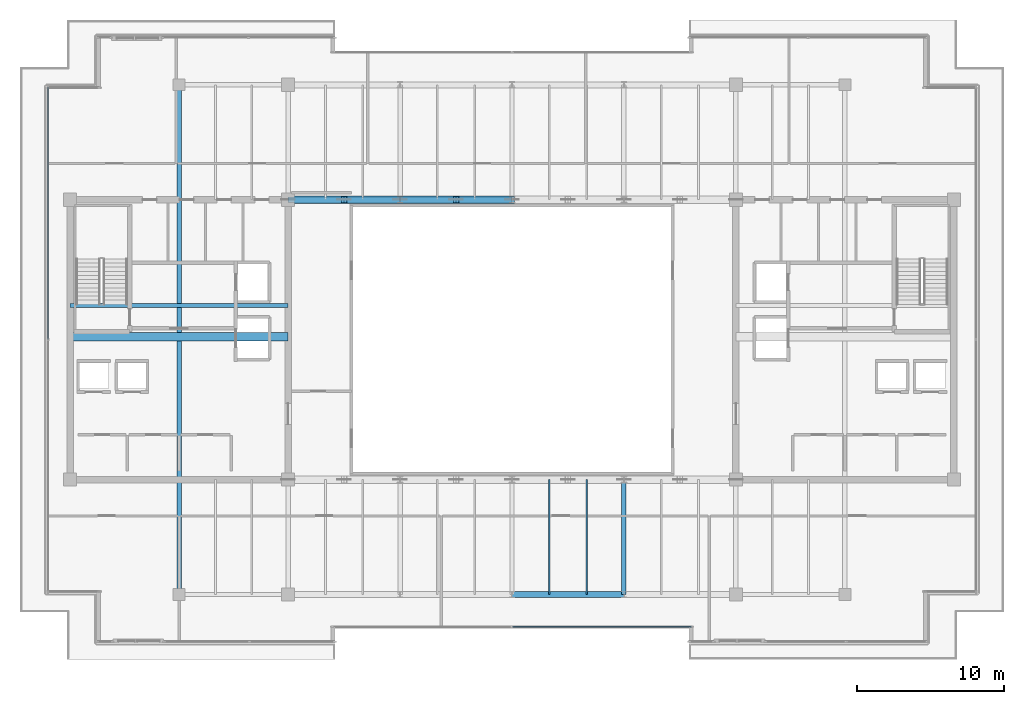
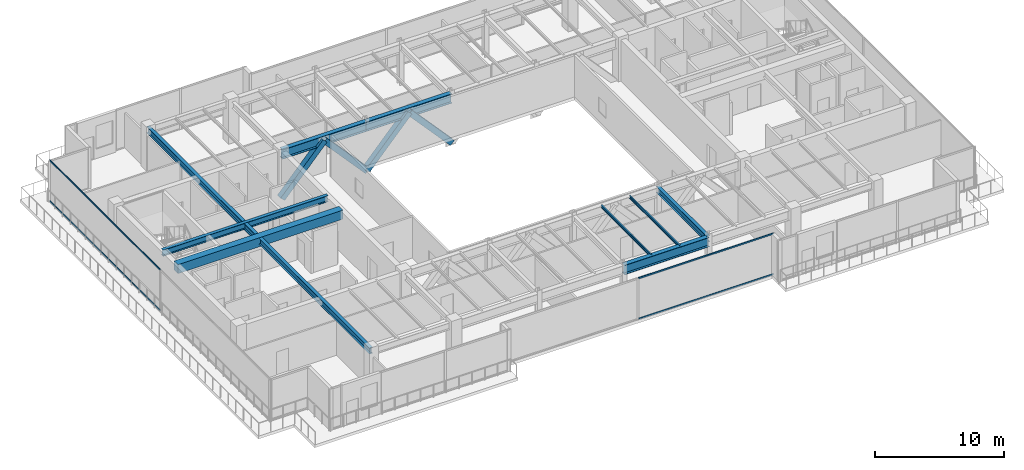
# One storey, part 10 of 34: 9 beams, 8 members, 2 elements without a shape of their own.
"""IFC4 building model written with IfcOpenShell, lengths in metres."""

import ifcopenshell
import ifcopenshell.guid

model = None  # the IFC model being written
_history = None  # IfcOwnerHistory: only IFC2X3 demands one
_inside = {}  # id of a spatial element -> (the spatial element, [elements in it])
_under = {}  # id of a project, library or spatial element -> (it, [spatial elements below it])
_declared = {}  # id of a project -> (the project, [libraries it declares])
_typed = {}  # id of a type object -> (the type object, [elements of that type])
_made_of = {}  # id of a material, layer set ... -> (it, [elements and type objects made of it])


def new_model(schema):
    """Start an empty IFC model of exactly this schema.

    Asked for "IFC4X3", IfcOpenShell would pick the latest addendum, in which some entities
    have other attributes; the version numbers below select the first issue.
    IFC2X3 requires an IfcOwnerHistory on every rooted entity: one is made here for all.
    """
    global model, _history
    if schema == "IFC4X3":
        model = ifcopenshell.file(schema_version=(4, 3, 0, 0))
    else:
        model = ifcopenshell.file(schema=schema)
    _inside.clear()
    _under.clear()
    _declared.clear()
    _typed.clear()
    _made_of.clear()
    _history = None
    if model.schema == "IFC2X3":
        org = make("IfcOrganization", Name="unknown")
        user = make(
            "IfcPersonAndOrganization",
            ThePerson=make("IfcPerson", FamilyName="unknown"),
            TheOrganization=org,
        )
        app = make(
            "IfcApplication",
            ApplicationDeveloper=org,
            Version="unknown",
            ApplicationFullName="unknown",
            ApplicationIdentifier="unknown",
        )
        _history = make(
            "IfcOwnerHistory",
            OwningUser=user,
            OwningApplication=app,
            ChangeAction="ADDED",
            CreationDate=0,
        )
    return model


def make(cls, **values):
    """One entity of the class cls with the attributes given. An attribute that is None is left unset."""
    return model.create_entity(
        cls, **{name: value for name, value in values.items() if value is not None}
    )


def rooted(cls, **values):
    """An entity with a GlobalId (a new one), such as an element, a storey or a relation."""
    return make(cls, GlobalId=ifcopenshell.guid.new(), OwnerHistory=_history, **values)


def si_unit(unit_type, name, prefix=None):
    """IfcSIUnit, for example si_unit("LENGTHUNIT", "METRE", prefix="MILLI")."""
    return make("IfcSIUnit", UnitType=unit_type, Prefix=prefix, Name=name)


def assignment(units):
    """IfcUnitAssignment: the units of a project."""
    return None if units is None else make("IfcUnitAssignment", Units=units)


def point(xyz):
    """IfcCartesianPoint."""
    return None if xyz is None else make("IfcCartesianPoint", Coordinates=xyz)


def direction(xyz):
    """IfcDirection."""
    return None if xyz is None else make("IfcDirection", DirectionRatios=xyz)


def frame(location, z_axis=None, x_axis=None):
    """IfcAxis2Placement3D, a coordinate frame: its origin and axes. An axis left out is left unset."""
    return make(
        "IfcAxis2Placement3D",
        Location=point(location),
        Axis=direction(z_axis),
        RefDirection=direction(x_axis),
    )


def frame_2d(location, x_axis=None):
    """IfcAxis2Placement2D, a coordinate frame in the plane: its origin and x axis."""
    return make(
        "IfcAxis2Placement2D", Location=point(location), RefDirection=direction(x_axis)
    )


def origin():
    """The frame at (0, 0, 0) with its axes left unset."""
    return frame((0.0, 0.0, 0.0))


def origin_2d():
    """The frame at (0, 0) in the plane with its x axis left unset."""
    return frame_2d((0.0, 0.0))


def place(relative_to, where):
    """IfcLocalPlacement: puts the frame where relative to a parent placement (None: the world)."""
    return make(
        "IfcLocalPlacement", PlacementRelTo=relative_to, RelativePlacement=where
    )


def context(
    kind, dimensions, precision=None, world=None, true_north=None, identifier=None
):
    """IfcGeometricRepresentationContext, for example the 3D "Model" context."""
    return make(
        "IfcGeometricRepresentationContext",
        ContextIdentifier=identifier,
        ContextType=kind,
        CoordinateSpaceDimension=dimensions,
        Precision=precision,
        WorldCoordinateSystem=world,
        TrueNorth=true_north,
    )


def subcontext(parent, identifier, kind, view, scale=None):
    """IfcGeometricRepresentationSubContext, for example "Body" below "Model"."""
    return make(
        "IfcGeometricRepresentationSubContext",
        ContextIdentifier=identifier,
        ContextType=kind,
        ParentContext=parent,
        TargetScale=scale,
        TargetView=view,
    )


def project(units=None, contexts=None):
    """IfcProject with its units and contexts."""
    return rooted(
        "IfcProject",
        Name="project",
        RepresentationContexts=contexts,
        UnitsInContext=assignment(units),
    )


def spatial(cls, under=None, at=None, **own):
    """A site, building, storey or space (cls), placed at a placement, below another one or the project."""
    s = rooted(cls, ObjectPlacement=at, **own)
    if under is not None:
        _under.setdefault(under.id(), (under, []))[1].append(s)
    return s


def profile(cls, at=None, kind="AREA", **sizes):
    """A parametric profile (cls). Its sizes go by their IFC names, for example OverallWidth=200.0."""
    return make(cls, ProfileType=kind, Position=at, **sizes)


def rectangle(**sizes):
    """IfcRectangleProfileDef."""
    return profile("IfcRectangleProfileDef", **sizes)


def hollow_rectangle(**sizes):
    """IfcRectangleHollowProfileDef."""
    return profile("IfcRectangleHollowProfileDef", **sizes)


def i_section(**sizes):
    """IfcIShapeProfileDef."""
    return profile("IfcIShapeProfileDef", **sizes)


def extrude(swept, where, along, depth):
    """IfcExtrudedAreaSolid: the profile swept, set in the frame where, extruded along a direction by depth."""
    return make(
        "IfcExtrudedAreaSolid",
        SweptArea=swept,
        Position=where,
        ExtrudedDirection=direction(along),
        Depth=depth,
    )


def shape(context_of_items, identifier, shape_type, items):
    """IfcShapeRepresentation: the items that make up one representation, for example the "Body"."""
    return make(
        "IfcShapeRepresentation",
        ContextOfItems=context_of_items,
        RepresentationIdentifier=identifier,
        RepresentationType=shape_type,
        Items=items,
    )


def source(mapping_origin, context_of_items, identifier, shape_type, items):
    """IfcRepresentationMap: a shape defined once, which mapped items show again and again."""
    return make(
        "IfcRepresentationMap",
        MappingOrigin=mapping_origin,
        MappedRepresentation=shape(context_of_items, identifier, shape_type, items),
    )


def transform(
    local_origin,
    x_axis=None,
    y_axis=None,
    z_axis=None,
    scale=None,
    scale2=None,
    scale3=None,
    uniform=True,
):
    """IfcCartesianTransformationOperator3D, or its non-uniform kind. x_axis, y_axis, z_axis: its Axis1, 2, 3."""
    if uniform:
        return make(
            "IfcCartesianTransformationOperator3D",
            Axis1=direction(x_axis),
            Axis2=direction(y_axis),
            LocalOrigin=point(local_origin),
            Scale=scale,
            Axis3=direction(z_axis),
        )
    return make(
        "IfcCartesianTransformationOperator3DnonUniform",
        Axis1=direction(x_axis),
        Axis2=direction(y_axis),
        LocalOrigin=point(local_origin),
        Scale=scale,
        Axis3=direction(z_axis),
        Scale2=scale2,
        Scale3=scale3,
    )


def mapped(mapping_source, mapping_target):
    """IfcMappedItem: shows the shape of a source again, moved by a transform."""
    return make(
        "IfcMappedItem", MappingSource=mapping_source, MappingTarget=mapping_target
    )


def material(Name=None, Category=None):
    """IfcMaterial."""
    return make("IfcMaterial", Name=Name, Category=Category)


def layer(
    of_material, thickness, ventilated=None, Name=None, Category=None, Priority=None
):
    """IfcMaterialLayer: one layer of a wall or slab, of a material (None: an air gap)."""
    return make(
        "IfcMaterialLayer",
        Material=of_material,
        LayerThickness=thickness,
        IsVentilated=ventilated,
        Name=Name,
        Category=Category,
        Priority=Priority,
    )


def layer_set(layers, Name=None):
    """IfcMaterialLayerSet."""
    return make("IfcMaterialLayerSet", MaterialLayers=layers, LayerSetName=Name)


def material_profile(
    of_material, cross_section, Name=None, Category=None, Priority=None
):
    """IfcMaterialProfile: a cross section and its material."""
    return make(
        "IfcMaterialProfile",
        Name=Name,
        Material=of_material,
        Profile=cross_section,
        Priority=Priority,
        Category=Category,
    )


def profile_set(profiles, Name=None, composite=None):
    """IfcMaterialProfileSet."""
    return make(
        "IfcMaterialProfileSet",
        Name=Name,
        MaterialProfiles=profiles,
        CompositeProfile=composite,
    )


def made_of(thing, what):
    """Note that an element or type object is made of a material, layer set ...; save() writes the relation."""
    if what is not None:
        _made_of.setdefault(what.id(), (what, []))[1].append(thing)
    return thing


def type_object(cls, material=None, **own):
    """A type object (cls), such as IfcWallType, which elements share."""
    return made_of(rooted(cls, **own), material)


def type_shapes(of_type, sources):
    """Give a type object the sources (RepresentationMaps) that its elements show as mapped items."""
    of_type.RepresentationMaps = sources


def element(
    cls,
    number,
    at=None,
    inside=None,
    cuts=None,
    type_object=None,
    material=None,
    context=None,
    identifier="Body",
    shape_type=None,
    held_by="IfcProductDefinitionShape",
    body=None,
    shapes=None,
    **own,
):
    """One element of the class cls, such as IfcWall. Its Tag is "e" and its number.

    at: its placement. inside: the storey or other place that contains it. cuts: it is an
    opening in that element (IfcRelVoidsElement). A single representation is given by context,
    identifier, shape_type and body (its items); several are given by shapes. held_by: the class
    of the entity that holds the representations. save() writes the other relations.
    """
    e = rooted(cls, Tag="e%d" % number, ObjectPlacement=at, **own)
    if body is not None:
        shapes = [shape(context, identifier, shape_type, body)]
    if shapes is not None:
        e.Representation = make(held_by, Representations=shapes)
    if inside is not None:
        _inside.setdefault(inside.id(), (inside, []))[1].append(e)
    if cuts is not None:
        rooted(
            "IfcRelVoidsElement", RelatingBuildingElement=cuts, RelatedOpeningElement=e
        )
    if type_object is not None:
        _typed.setdefault(type_object.id(), (type_object, []))[1].append(e)
    return made_of(e, material)


def aggregate(whole, parts):
    """IfcRelAggregates: a whole, such as a stair, and the parts it consists of."""
    return rooted("IfcRelAggregates", RelatingObject=whole, RelatedObjects=parts)


def save(model, path):
    """Write the relations noted so far, then the file.

    IfcRelAggregates (storeys below a building ...), IfcRelContainedInSpatialStructure (elements
    in a storey), IfcRelDefinesByType, IfcRelAssociatesMaterial and IfcRelDeclares: one each for
    every whole, place, type object, material and project.
    """
    for whole, parts in _under.values():
        aggregate(whole, parts)
    for where, things in _inside.values():
        rooted(
            "IfcRelContainedInSpatialStructure",
            RelatedElements=things,
            RelatingStructure=where,
        )
    for kind, things in _typed.values():
        rooted("IfcRelDefinesByType", RelatedObjects=things, RelatingType=kind)
    for what, things in _made_of.values():
        rooted("IfcRelAssociatesMaterial", RelatedObjects=things, RelatingMaterial=what)
    for by, libraries in _declared.values():
        rooted("IfcRelDeclares", RelatingContext=by, RelatedDefinitions=libraries)
    model.write(path)


model = new_model("IFC4")

# Units and contexts
model_context = context("Model", 3, precision=1e-05, world=origin(), true_north=direction((0.0, 1.0)))
body_context = subcontext(model_context, "Body", "Model", "MODEL_VIEW")
ifc_project = project(units=[si_unit("LENGTHUNIT", "METRE"), si_unit("AREAUNIT", "SQUARE_METRE"), si_unit("VOLUMEUNIT", "CUBIC_METRE"), si_unit("PLANEANGLEUNIT", "RADIAN"), si_unit("MASSUNIT", "GRAM", prefix="KILO")], contexts=[model_context])

# Site, building, storey
site_placement = place(None, origin())
site = spatial("IfcSite", under=ifc_project, at=site_placement, CompositionType="ELEMENT")
building_placement = place(site_placement, origin())
building = spatial("IfcBuilding", under=site, at=building_placement, Name="Haelvirn Gate Laboratories", CompositionType="ELEMENT")
storey_placement = place(building_placement, frame((0.0, 0.0, 297.60009765625)))
storey = spatial("IfcBuildingStorey", under=building, at=storey_placement, Name="L71", CompositionType="ELEMENT", Elevation=297.60009765625)

# Beams
ifc_material_1 = material(Name="Steel SM355", Category="steel")
ifc_material_profile_1 = material_profile(ifc_material_1, i_section(OverallWidth=0.300048828125, OverallDepth=0.587890625, WebThickness=0.011962890625, FlangeThickness=0.02001953125, at=origin_2d()), Name="H-588x300x12x20")
ifc_profile_set_1 = profile_set([ifc_material_profile_1], Name="Steel SM355")
beam_type_1 = type_object("IfcBeamType", Name="BM-G-588", PredefinedType="BEAM", material=ifc_profile_set_1)
shared_shape_1 = source(origin(), body_context, "Body", "SweptSolid", [
    extrude(i_section(OverallWidth=0.300048828125, OverallDepth=0.587890625, WebThickness=0.011962890625, FlangeThickness=0.02001953125, at=origin_2d()), origin(), (0.0, 0.0, 1.0), 14.800048828125),
])
beam_1_placement = place(storey_placement, frame((7.39990234375, 26.6201171875, 3.60595703125), z_axis=(1.0, 0.0, 0.0), x_axis=(0.0, 1.0, 0.0)))
element("IfcBeam", 1, at=beam_1_placement, inside=storey, type_object=beam_type_1, Name="L71 Stair ST1 Landing Header", PredefinedType="BEAM", context=body_context, shape_type="MappedRepresentation", body=[
    mapped(shared_shape_1, transform((0.0, 0.0, 0.0), scale=1.0)),
])
ifc_material_2 = material(Name="Steel SM420", Category="steel")
ifc_material_profile_2 = material_profile(ifc_material_2, i_section(OverallWidth=0.39990234375, OverallDepth=0.89990234375, WebThickness=0.01904296875, FlangeThickness=0.031982421875, at=origin_2d()), Name="H-900x400x19x32")
ifc_profile_set_2 = profile_set([ifc_material_profile_2], Name="Steel SM420")
beam_type_2 = type_object("IfcBeamType", Name="BM-TG-900", PredefinedType="BEAM", material=ifc_profile_set_2)
shared_shape_2 = source(origin(), body_context, "Body", "SweptSolid", [
    extrude(i_section(OverallWidth=0.39990234375, OverallDepth=0.89990234375, WebThickness=0.01904296875, FlangeThickness=0.031982421875, at=origin_2d()), origin(), (0.0, 0.0, 1.0), 7.60009765625),
])
for number, where, z_axis, x_axis, name in (
    (2, (37.39990234375, 7.0, 3.449951171875), (1.0, 0.0, 0.0), (0.0, 1.0, 0.0), "L71 Primary Girder Y7.0 (37.4-45.0)"),
    (3, (22.199951171875, 33.800048828125, 3.449951171875), (1.0, 0.0, 0.0), (0.0, 1.0, 0.0), "L71 Primary Girder Y33.8 (22.2-29.8)"),
):
    element("IfcBeam", number, at=place(storey_placement, frame(where, z_axis=z_axis, x_axis=x_axis)), inside=storey, type_object=beam_type_2, Name=name, PredefinedType="BEAM", context=body_context, shape_type="MappedRepresentation", body=[
        mapped(shared_shape_2, transform((0.0, 0.0, 0.0), scale=1.0)),
    ])
shared_shape_3 = source(origin(), body_context, "Body", "SweptSolid", [
    extrude(i_section(OverallWidth=0.39990234375, OverallDepth=0.89990234375, WebThickness=0.01904296875, FlangeThickness=0.031982421875, at=origin_2d()), origin(), (0.0, 0.0, 1.0), 7.599853515625),
])
type_shapes(beam_type_2, [shared_shape_2, shared_shape_3])
beam_2_placement = place(storey_placement, frame((29.800048828125, 33.800048828125, 3.449951171875), z_axis=(1.0, 0.0, 0.0), x_axis=(0.0, 1.0, 0.0)))
element("IfcBeam", 4, at=beam_2_placement, inside=storey, type_object=beam_type_2, Name="L71 Primary Girder Y33.8 (29.8-37.4)", PredefinedType="BEAM", context=body_context, shape_type="MappedRepresentation", body=[
    mapped(shared_shape_3, transform((0.0, 0.0, 0.0), scale=1.0)),
])
shared_shape_4 = source(origin(), body_context, "Body", "SweptSolid", [
    extrude(i_section(OverallWidth=0.300048828125, OverallDepth=0.587890625, WebThickness=0.011962890625, FlangeThickness=0.02001953125, at=origin_2d()), origin(), (0.0, 0.0, 1.0), 34.60009765625),
])
beam_3_placement = place(storey_placement, frame((14.800048828125, 7.0, 3.60595703125), z_axis=(0.0, 1.0, 0.0), x_axis=(-1.0, 0.0, 0.0)))
element("IfcBeam", 5, at=beam_3_placement, inside=storey, type_object=beam_type_1, Name="L71 Frame Girder X14.8 (7.0-41.6)", PredefinedType="BEAM", context=body_context, shape_type="MappedRepresentation", body=[
    mapped(shared_shape_4, transform((0.0, 0.0, 0.0), scale=1.0)),
])
shared_shape_5 = source(origin(), body_context, "Body", "SweptSolid", [
    extrude(i_section(OverallWidth=0.300048828125, OverallDepth=0.587890625, WebThickness=0.011962890625, FlangeThickness=0.02001953125, at=origin_2d()), origin(), (0.0, 0.0, 1.0), 7.800048828125),
])
type_shapes(beam_type_1, [shared_shape_1, shared_shape_4, shared_shape_5])
beam_4_placement = place(storey_placement, frame((45.0, 7.0, 3.60595703125), z_axis=(0.0, 1.0, 0.0), x_axis=(-1.0, 0.0, 0.0)))
element("IfcBeam", 6, at=beam_4_placement, inside=storey, type_object=beam_type_1, Name="L71 Frame Girder X45.0 (7.0-14.8)", PredefinedType="BEAM", context=body_context, shape_type="MappedRepresentation", body=[
    mapped(shared_shape_5, transform((0.0, 0.0, 0.0), scale=1.0)),
])
ifc_material_3 = material(Name="Concrete C50/60", Category="concrete")
ifc_material_profile_3 = material_profile(ifc_material_3, rectangle(XDim=0.60009765625, YDim=0.85009765625, at=origin_2d()), Name="RCB-600x850")
ifc_profile_set_3 = profile_set([ifc_material_profile_3], Name="Concrete C50/60")
beam_type_3 = type_object("IfcBeamType", Name="BM-RCB-850", PredefinedType="LINTEL", material=ifc_profile_set_3)
shared_shape_6 = source(origin(), body_context, "Body", "SweptSolid", [
    extrude(rectangle(XDim=0.60009765625, YDim=0.85009765625, at=origin_2d()), origin(), (0.0, 0.0, 1.0), 14.800048828125),
])
type_shapes(beam_type_3, [shared_shape_6])
beam_5_placement = place(storey_placement, frame((7.39990234375, 24.5, 3.474853515625), z_axis=(1.0, 0.0, 0.0), x_axis=(0.0, 1.0, 0.0)))
element("IfcBeam", 7, at=beam_5_placement, inside=storey, type_object=beam_type_3, Name="L71 West Core Coupling Beam", PredefinedType="LINTEL", context=body_context, shape_type="MappedRepresentation", body=[
    mapped(shared_shape_6, transform((0.0, 0.0, 0.0), scale=1.0)),
])
ifc_material_profile_4 = material_profile(ifc_material_1, i_section(OverallWidth=0.125, OverallDepth=0.25, WebThickness=0.006103515625, FlangeThickness=0.009033203125, at=origin_2d()), Name="H-250x125x6x9")
ifc_profile_set_4 = profile_set([ifc_material_profile_4], Name="Steel SM355")
beam_type_4 = type_object("IfcBeamType", Name="BM-J-250", PredefinedType="JOIST", material=ifc_profile_set_4)
shared_shape_7 = source(origin(), body_context, "Body", "SweptSolid", [
    extrude(i_section(OverallWidth=0.125, OverallDepth=0.25, WebThickness=0.006103515625, FlangeThickness=0.009033203125, at=origin_2d()), origin(), (0.0, 0.0, 1.0), 7.800048828125),
])
type_shapes(beam_type_4, [shared_shape_7])
for number, where, z_axis, x_axis, name in (
    (8, (39.929931640625, 7.0, 3.77490234375), (0.0, 1.0, 0.0), (-1.0, 0.0, 0.0), "L71 Composite Lab Joist South X39.93"),
    (9, (42.469970703125, 7.0, 3.77490234375), (0.0, 1.0, 0.0), (-1.0, 0.0, 0.0), "L71 Composite Lab Joist South X42.47"),
):
    element("IfcBeam", number, at=place(storey_placement, frame(where, z_axis=z_axis, x_axis=x_axis)), inside=storey, type_object=beam_type_4, Name=name, PredefinedType="JOIST", context=body_context, shape_type="MappedRepresentation", body=[
        mapped(shared_shape_7, transform((0.0, 0.0, 0.0), scale=1.0)),
    ])

# Members
ifc_material_profile_5 = material_profile(ifc_material_2, hollow_rectangle(XDim=0.5, YDim=0.5, WallThickness=0.02197265625, at=origin_2d()), Name="BOX-500x500x22")
ifc_profile_set_5 = profile_set([ifc_material_profile_5], Name="Steel SM420")
member_type_1 = type_object("IfcMemberType", Name="MEM-ARCH-WEB", PredefinedType="BRACE", material=ifc_profile_set_5)
shared_shape_8 = source(origin(), body_context, "Body", "SweptSolid", [
    extrude(hollow_rectangle(XDim=0.5, YDim=0.5, WallThickness=0.02197265625, at=origin_2d()), origin(), (0.0, 0.0, 1.0), 5.663818359375),
])
type_shapes(member_type_1, [shared_shape_8])
for number, where, z_axis, x_axis, name in (
    (10, (22.199951171875, 33.800048828125, -0.75), (0.670922353302, 0.0, 0.741527609628), (0.0, 1.0, 0.0), "L71 Arch Truss Chevron Web Y33.8-1A"),
    (11, (26.0, 33.800048828125, 3.449951171875), (0.670922353302, 0.0, -0.741527609628), (0.0, 1.0, 0.0), "L71 Arch Truss Chevron Web Y33.8-1B"),
    (12, (29.800048828125, 33.800048828125, -0.75), (0.670922353302, 0.0, 0.741527609628), (0.0, 1.0, 0.0), "L71 Arch Truss Chevron Web Y33.8-2A"),
    (13, (33.60009765625, 33.800048828125, 3.449951171875), (0.670898650667, 0.0, -0.741549054705), (0.0, 1.0, 0.0), "L71 Arch Truss Chevron Web Y33.8-2B"),
):
    element("IfcMember", number, at=place(storey_placement, frame(where, z_axis=z_axis, x_axis=x_axis)), inside=storey, type_object=member_type_1, Name=name, PredefinedType="BRACE", context=body_context, shape_type="MappedRepresentation", body=[
        mapped(shared_shape_8, transform((0.0, 0.0, 0.0), scale=1.0)),
    ])

# Curtain wall, members
ifc_material_4 = material(Name="Anodised bronze unitised aluminium & triple low-E glass", Category="aluminium")
ifc_layer = layer(ifc_material_4, 0.176025390625, Name="CW-SYS-4")
ifc_layer_set = layer_set([ifc_layer], Name="Anodised bronze unitised aluminium & triple low-E glass")
curtain_wall_type = type_object("IfcCurtainWallType", Name="CW-SYS-4", PredefinedType="NOTDEFINED", material=ifc_layer_set)
curtain_wall_1_placement = place(storey_placement, origin())
curtain_wall_1 = element("IfcCurtainWall", 14, at=curtain_wall_1_placement, inside=storey, type_object=curtain_wall_type, Name="L71 Unitised Curtain Wall CW-L71-P0-E02-1", PredefinedType="NOTDEFINED")
ifc_material_5 = material(Name="Extruded aluminium 6063-T6 (anodised bronze)", Category="aluminium")
ifc_material_profile_6 = material_profile(ifc_material_5, hollow_rectangle(XDim=0.06494140625, YDim=0.139892578125, WallThickness=0.00390625, at=origin_2d()), Name="CWT-140x65x4")
ifc_profile_set_6 = profile_set([ifc_material_profile_6], Name="Extruded aluminium 6063-T6 (anodised bronze)")
member_type_2 = type_object("IfcMemberType", Name="CWT-T140", PredefinedType="USERDEFINED", material=ifc_profile_set_6)
shared_shape_9 = source(origin(), body_context, "Body", "SweptSolid", [
    extrude(hollow_rectangle(XDim=0.06494140625, YDim=0.139892578125, WallThickness=0.00390625, at=origin_2d()), origin(), (0.0, 0.0, 1.0), 12.135009765625),
])
member_1_placement = place(storey_placement, frame((37.43505859375, 4.800048828125, 0.032470703125), z_axis=(1.0, 0.0, 0.0), x_axis=(0.0, 1.0, 0.0)))
member_1 = element("IfcMember", 15, at=member_1_placement, type_object=member_type_2, Name="CW4 transom 2.1", ObjectType="TRANSOM", PredefinedType="USERDEFINED", context=body_context, shape_type="MappedRepresentation", body=[
    mapped(shared_shape_9, transform((0.0, 0.0, 0.0), scale=1.0)),
])
member_2_placement = place(storey_placement, frame((37.43505859375, 4.800048828125, 3.867431640625), z_axis=(1.0, 0.0, 0.0), x_axis=(0.0, 1.0, 0.0)))
member_2 = element("IfcMember", 16, at=member_2_placement, type_object=member_type_2, Name="CW4 transom 2.2", ObjectType="TRANSOM", PredefinedType="USERDEFINED", context=body_context, shape_type="MappedRepresentation", body=[
    mapped(shared_shape_9, transform((0.0, 0.0, 0.0), scale=1.0)),
])
aggregate(curtain_wall_1, [member_1, member_2])

curtain_wall_2_placement = place(storey_placement, origin())
curtain_wall_2 = element("IfcCurtainWall", 17, at=curtain_wall_2_placement, inside=storey, type_object=curtain_wall_type, Name="L71 Unitised Curtain Wall CW-L71-P0-E17", PredefinedType="NOTDEFINED")
shared_shape_10 = source(origin(), body_context, "Body", "SweptSolid", [
    extrude(hollow_rectangle(XDim=0.06494140625, YDim=0.139892578125, WallThickness=0.00390625, at=origin_2d()), origin(), (0.0, 0.0, 1.0), 17.094970703125),
])
type_shapes(member_type_2, [shared_shape_9, shared_shape_10])
member_3_placement = place(storey_placement, frame((5.89990234375, 41.429931640625, 0.032470703125), z_axis=(0.0, -1.0, 0.0), x_axis=(1.0, 0.0, 0.0)))
member_3 = element("IfcMember", 18, at=member_3_placement, type_object=member_type_2, Name="CW4 transom 1.1", ObjectType="TRANSOM", PredefinedType="USERDEFINED", context=body_context, shape_type="MappedRepresentation", body=[
    mapped(shared_shape_10, transform((0.0, 0.0, 0.0), scale=1.0)),
])
member_4_placement = place(storey_placement, frame((5.89990234375, 41.429931640625, 3.867431640625), z_axis=(0.0, -1.0, 0.0), x_axis=(1.0, 0.0, 0.0)))
member_4 = element("IfcMember", 19, at=member_4_placement, type_object=member_type_2, Name="CW4 transom 1.2", ObjectType="TRANSOM", PredefinedType="USERDEFINED", context=body_context, shape_type="MappedRepresentation", body=[
    mapped(shared_shape_10, transform((0.0, 0.0, 0.0), scale=1.0)),
])
aggregate(curtain_wall_2, [member_3, member_4])

save(model, "model.ifc")
